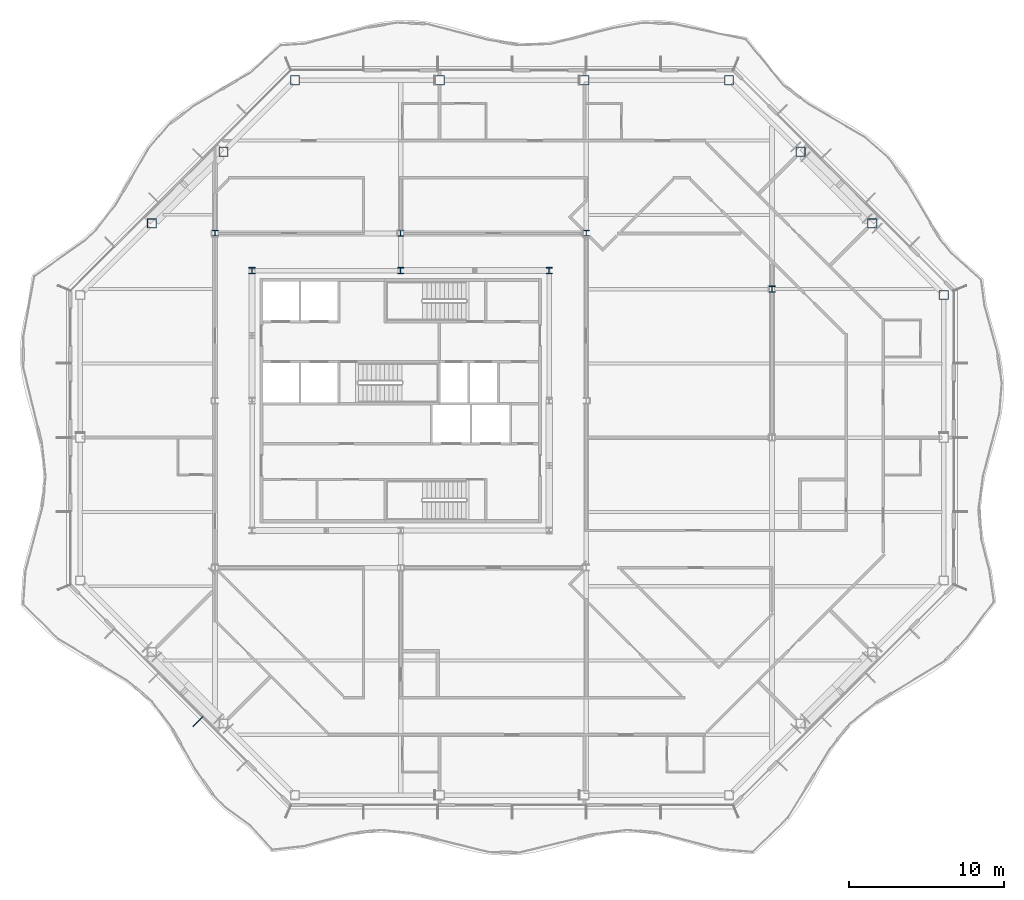
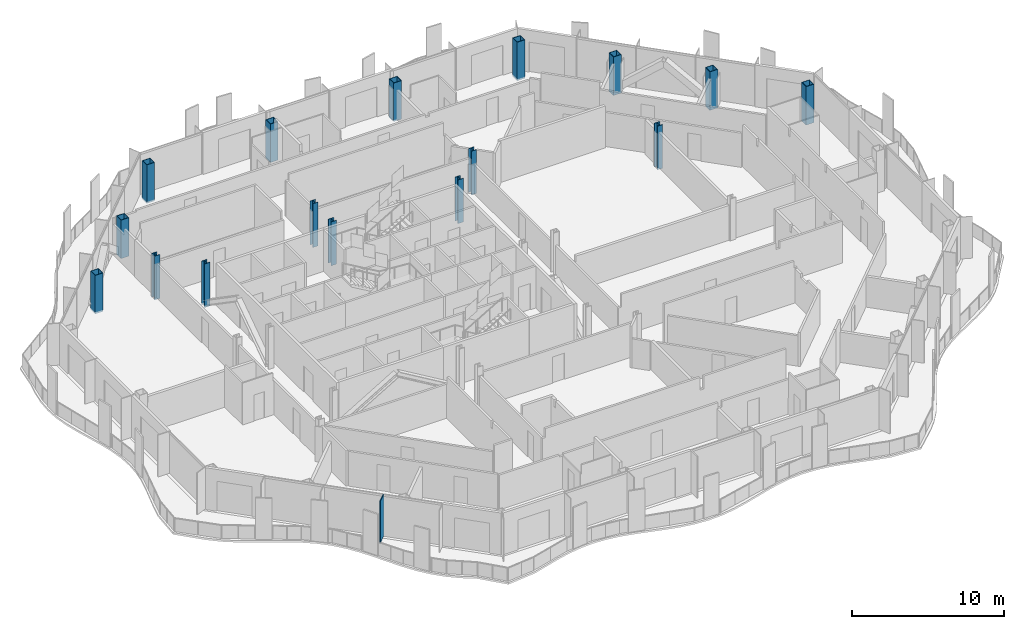
# One storey, part 2 of 19: 16 columns, 1 member, 1 element without a shape of its own.
"""IFC4 building model written with IfcOpenShell, lengths in metres."""

import ifcopenshell
import ifcopenshell.guid

model = None  # the IFC model being written
_history = None  # IfcOwnerHistory: only IFC2X3 demands one
_inside = {}  # id of a spatial element -> (the spatial element, [elements in it])
_under = {}  # id of a project, library or spatial element -> (it, [spatial elements below it])
_declared = {}  # id of a project -> (the project, [libraries it declares])
_typed = {}  # id of a type object -> (the type object, [elements of that type])
_made_of = {}  # id of a material, layer set ... -> (it, [elements and type objects made of it])


def new_model(schema):
    """Start an empty IFC model of exactly this schema.

    Asked for "IFC4X3", IfcOpenShell would pick the latest addendum, in which some entities
    have other attributes; the version numbers below select the first issue.
    IFC2X3 requires an IfcOwnerHistory on every rooted entity: one is made here for all.
    """
    global model, _history
    if schema == "IFC4X3":
        model = ifcopenshell.file(schema_version=(4, 3, 0, 0))
    else:
        model = ifcopenshell.file(schema=schema)
    _inside.clear()
    _under.clear()
    _declared.clear()
    _typed.clear()
    _made_of.clear()
    _history = None
    if model.schema == "IFC2X3":
        org = make("IfcOrganization", Name="unknown")
        user = make(
            "IfcPersonAndOrganization",
            ThePerson=make("IfcPerson", FamilyName="unknown"),
            TheOrganization=org,
        )
        app = make(
            "IfcApplication",
            ApplicationDeveloper=org,
            Version="unknown",
            ApplicationFullName="unknown",
            ApplicationIdentifier="unknown",
        )
        _history = make(
            "IfcOwnerHistory",
            OwningUser=user,
            OwningApplication=app,
            ChangeAction="ADDED",
            CreationDate=0,
        )
    return model


def make(cls, **values):
    """One entity of the class cls with the attributes given. An attribute that is None is left unset."""
    return model.create_entity(
        cls, **{name: value for name, value in values.items() if value is not None}
    )


def rooted(cls, **values):
    """An entity with a GlobalId (a new one), such as an element, a storey or a relation."""
    return make(cls, GlobalId=ifcopenshell.guid.new(), OwnerHistory=_history, **values)


def si_unit(unit_type, name, prefix=None):
    """IfcSIUnit, for example si_unit("LENGTHUNIT", "METRE", prefix="MILLI")."""
    return make("IfcSIUnit", UnitType=unit_type, Prefix=prefix, Name=name)


def assignment(units):
    """IfcUnitAssignment: the units of a project."""
    return None if units is None else make("IfcUnitAssignment", Units=units)


def point(xyz):
    """IfcCartesianPoint."""
    return None if xyz is None else make("IfcCartesianPoint", Coordinates=xyz)


def direction(xyz):
    """IfcDirection."""
    return None if xyz is None else make("IfcDirection", DirectionRatios=xyz)


def frame(location, z_axis=None, x_axis=None):
    """IfcAxis2Placement3D, a coordinate frame: its origin and axes. An axis left out is left unset."""
    return make(
        "IfcAxis2Placement3D",
        Location=point(location),
        Axis=direction(z_axis),
        RefDirection=direction(x_axis),
    )


def frame_2d(location, x_axis=None):
    """IfcAxis2Placement2D, a coordinate frame in the plane: its origin and x axis."""
    return make(
        "IfcAxis2Placement2D", Location=point(location), RefDirection=direction(x_axis)
    )


def origin():
    """The frame at (0, 0, 0) with its axes left unset."""
    return frame((0.0, 0.0, 0.0))


def origin_2d():
    """The frame at (0, 0) in the plane with its x axis left unset."""
    return frame_2d((0.0, 0.0))


def place(relative_to, where):
    """IfcLocalPlacement: puts the frame where relative to a parent placement (None: the world)."""
    return make(
        "IfcLocalPlacement", PlacementRelTo=relative_to, RelativePlacement=where
    )


def context(
    kind, dimensions, precision=None, world=None, true_north=None, identifier=None
):
    """IfcGeometricRepresentationContext, for example the 3D "Model" context."""
    return make(
        "IfcGeometricRepresentationContext",
        ContextIdentifier=identifier,
        ContextType=kind,
        CoordinateSpaceDimension=dimensions,
        Precision=precision,
        WorldCoordinateSystem=world,
        TrueNorth=true_north,
    )


def subcontext(parent, identifier, kind, view, scale=None):
    """IfcGeometricRepresentationSubContext, for example "Body" below "Model"."""
    return make(
        "IfcGeometricRepresentationSubContext",
        ContextIdentifier=identifier,
        ContextType=kind,
        ParentContext=parent,
        TargetScale=scale,
        TargetView=view,
    )


def project(units=None, contexts=None):
    """IfcProject with its units and contexts."""
    return rooted(
        "IfcProject",
        Name="project",
        RepresentationContexts=contexts,
        UnitsInContext=assignment(units),
    )


def spatial(cls, under=None, at=None, **own):
    """A site, building, storey or space (cls), placed at a placement, below another one or the project."""
    s = rooted(cls, ObjectPlacement=at, **own)
    if under is not None:
        _under.setdefault(under.id(), (under, []))[1].append(s)
    return s


def profile(cls, at=None, kind="AREA", **sizes):
    """A parametric profile (cls). Its sizes go by their IFC names, for example OverallWidth=200.0."""
    return make(cls, ProfileType=kind, Position=at, **sizes)


def rectangle(**sizes):
    """IfcRectangleProfileDef."""
    return profile("IfcRectangleProfileDef", **sizes)


def hollow_rectangle(**sizes):
    """IfcRectangleHollowProfileDef."""
    return profile("IfcRectangleHollowProfileDef", **sizes)


def i_section(**sizes):
    """IfcIShapeProfileDef."""
    return profile("IfcIShapeProfileDef", **sizes)


def extrude(swept, where, along, depth):
    """IfcExtrudedAreaSolid: the profile swept, set in the frame where, extruded along a direction by depth."""
    return make(
        "IfcExtrudedAreaSolid",
        SweptArea=swept,
        Position=where,
        ExtrudedDirection=direction(along),
        Depth=depth,
    )


def clip(a, b, op="DIFFERENCE"):
    """IfcBooleanClippingResult: the solid a cut by the half space b."""
    return make(
        "IfcBooleanClippingResult", Operator=op, FirstOperand=a, SecondOperand=b
    )


def halfspace(plane, agree):
    """IfcHalfSpaceSolid: all space on one side of the plane z = 0 of the frame plane."""
    return make(
        "IfcHalfSpaceSolid",
        BaseSurface=make("IfcPlane", Position=plane),
        AgreementFlag=agree,
    )


def shape(context_of_items, identifier, shape_type, items):
    """IfcShapeRepresentation: the items that make up one representation, for example the "Body"."""
    return make(
        "IfcShapeRepresentation",
        ContextOfItems=context_of_items,
        RepresentationIdentifier=identifier,
        RepresentationType=shape_type,
        Items=items,
    )


def material(Name=None, Category=None):
    """IfcMaterial."""
    return make("IfcMaterial", Name=Name, Category=Category)


def material_profile(
    of_material, cross_section, Name=None, Category=None, Priority=None
):
    """IfcMaterialProfile: a cross section and its material."""
    return make(
        "IfcMaterialProfile",
        Name=Name,
        Material=of_material,
        Profile=cross_section,
        Priority=Priority,
        Category=Category,
    )


def profile_set(profiles, Name=None, composite=None):
    """IfcMaterialProfileSet."""
    return make(
        "IfcMaterialProfileSet",
        Name=Name,
        MaterialProfiles=profiles,
        CompositeProfile=composite,
    )


def made_of(thing, what):
    """Note that an element or type object is made of a material, layer set ...; save() writes the relation."""
    if what is not None:
        _made_of.setdefault(what.id(), (what, []))[1].append(thing)
    return thing


def type_object(cls, material=None, **own):
    """A type object (cls), such as IfcWallType, which elements share."""
    return made_of(rooted(cls, **own), material)


def element(
    cls,
    number,
    at=None,
    inside=None,
    cuts=None,
    type_object=None,
    material=None,
    context=None,
    identifier="Body",
    shape_type=None,
    held_by="IfcProductDefinitionShape",
    body=None,
    shapes=None,
    **own,
):
    """One element of the class cls, such as IfcWall. Its Tag is "e" and its number.

    at: its placement. inside: the storey or other place that contains it. cuts: it is an
    opening in that element (IfcRelVoidsElement). A single representation is given by context,
    identifier, shape_type and body (its items); several are given by shapes. held_by: the class
    of the entity that holds the representations. save() writes the other relations.
    """
    e = rooted(cls, Tag="e%d" % number, ObjectPlacement=at, **own)
    if body is not None:
        shapes = [shape(context, identifier, shape_type, body)]
    if shapes is not None:
        e.Representation = make(held_by, Representations=shapes)
    if inside is not None:
        _inside.setdefault(inside.id(), (inside, []))[1].append(e)
    if cuts is not None:
        rooted(
            "IfcRelVoidsElement", RelatingBuildingElement=cuts, RelatedOpeningElement=e
        )
    if type_object is not None:
        _typed.setdefault(type_object.id(), (type_object, []))[1].append(e)
    return made_of(e, material)


def aggregate(whole, parts):
    """IfcRelAggregates: a whole, such as a stair, and the parts it consists of."""
    return rooted("IfcRelAggregates", RelatingObject=whole, RelatedObjects=parts)


def save(model, path):
    """Write the relations noted so far, then the file.

    IfcRelAggregates (storeys below a building ...), IfcRelContainedInSpatialStructure (elements
    in a storey), IfcRelDefinesByType, IfcRelAssociatesMaterial and IfcRelDeclares: one each for
    every whole, place, type object, material and project.
    """
    for whole, parts in _under.values():
        aggregate(whole, parts)
    for where, things in _inside.values():
        rooted(
            "IfcRelContainedInSpatialStructure",
            RelatedElements=things,
            RelatingStructure=where,
        )
    for kind, things in _typed.values():
        rooted("IfcRelDefinesByType", RelatedObjects=things, RelatingType=kind)
    for what, things in _made_of.values():
        rooted("IfcRelAssociatesMaterial", RelatedObjects=things, RelatingMaterial=what)
    for by, libraries in _declared.values():
        rooted("IfcRelDeclares", RelatingContext=by, RelatedDefinitions=libraries)
    model.write(path)


model = new_model("IFC4")

# Units and contexts
model_context = context("Model", 3, precision=1e-05, world=origin(), true_north=direction((0.0, 1.0)))
body_context = subcontext(model_context, "Body", "Model", "MODEL_VIEW")
ifc_project = project(units=[si_unit("LENGTHUNIT", "METRE"), si_unit("AREAUNIT", "SQUARE_METRE"), si_unit("VOLUMEUNIT", "CUBIC_METRE"), si_unit("PLANEANGLEUNIT", "RADIAN"), si_unit("MASSUNIT", "GRAM", prefix="KILO")], contexts=[model_context])

# Site, building, storey
site_placement = place(None, origin())
site = spatial("IfcSite", under=ifc_project, at=site_placement, CompositionType="ELEMENT")
building_placement = place(site_placement, origin())
building = spatial("IfcBuilding", under=site, at=building_placement, Name="Cairn Pilgrim Tower", CompositionType="ELEMENT")
storey_placement = place(building_placement, frame((0.0, 0.0, 201.0)))
storey = spatial("IfcBuildingStorey", under=building, at=storey_placement, Name="L51", CompositionType="ELEMENT", Elevation=201.0)

# Columns
ifc_material_1 = material(Name="Structural steel S460M", Category="steel")
ifc_material_profile_1 = material_profile(ifc_material_1, hollow_rectangle(XDim=0.60009765625, YDim=0.60009765625, WallThickness=0.034912109375, at=origin_2d()), Name="BOX 600x600x35")
ifc_profile_set_1 = profile_set([ifc_material_profile_1], Name="Structural steel S460M")
column_type_1 = type_object("IfcColumnType", Name="BOX 600x600x35", PredefinedType="COLUMN", material=ifc_profile_set_1)
for number, where, z_axis, x_axis, name in (
    (1, (42.300048828125, 9.227294921875, -0.14990234375), (0.0, 0.0, 1.0), (1.0, 0.0, 0.0), "PC2-NE1"),
    (2, (37.67578125, 13.8515625, -0.14990234375), (0.0, 0.0, 1.0), (1.0, 0.0, 0.0), "PC2-NE2"),
    (3, (33.051513671875, 18.4755859375, -0.14990234375), (0.0, 0.0, 1.0), (1.0, 0.0, 0.0), "PC2-NE3"),
    (4, (28.42724609375, 23.10009765625, -0.14990234375), (0.0, 0.0, 1.0), (1.0, 0.0, 0.0), "PC2-N1"),
    (5, (19.07568359375, 23.10009765625, -0.14990234375), (0.0, 0.0, 1.0), (1.0, 0.0, 0.0), "PC2-N2"),
    (6, (9.724365234375, 23.10009765625, -0.14990234375), (0.0, 0.0, 1.0), (1.0, 0.0, 0.0), "PC2-N3"),
    (7, (0.372802734375, 23.10009765625, -0.14990234375), (0.0, 0.0, 1.0), (1.0, 0.0, 0.0), "PC2-NW1"),
    (8, (-4.25146484375, 18.4755859375, -0.14990234375), (0.0, 0.0, 1.0), (1.0, 0.0, 0.0), "PC2-NW2"),
    (9, (-8.875732421875, 13.8515625, -0.14990234375), (0.0, 0.0, 1.0), (1.0, 0.0, 0.0), "PC2-NW3"),
):
    element("IfcColumn", number, at=place(storey_placement, frame(where, z_axis=z_axis, x_axis=x_axis)), inside=storey, type_object=column_type_1, Name=name, PredefinedType="COLUMN", context=body_context, shape_type="Clipping", body=[
        clip(clip(extrude(hollow_rectangle(XDim=0.60009765625, YDim=0.60009765625, WallThickness=0.034912109375, at=origin_2d()), origin(), (0.0, 0.0, 1.0), 3.5), halfspace(frame((0.0, 0.0, 0.01123046875), z_axis=(0.0, 0.0, 1.0), x_axis=(1.0, 0.0, 0.0)), True)), halfspace(frame((0.0, 0.0, 3.094970703125), z_axis=(0.0, 0.0, 1.0), x_axis=(1.0, 0.0, 0.0)), False)),
    ])
ifc_material_2 = material(Name="Structural steel S355J2", Category="steel")
ifc_material_profile_2 = material_profile(ifc_material_2, i_section(OverallWidth=0.39892578125, OverallDepth=0.39306640625, WebThickness=0.022705078125, FlangeThickness=0.03662109375, FilletRadius=0.014892578125, at=origin_2d()), Name="HD 400x287")
ifc_profile_set_2 = profile_set([ifc_material_profile_2], Name="Structural steel S355J2")
column_type_2 = type_object("IfcColumnType", Name="HD 400x287", PredefinedType="COLUMN", material=ifc_profile_set_2)
for number, where, z_axis, x_axis, name in (
    (10, (-4.800048828125, 13.199951171875, -0.14990234375), (0.0, 0.0, 1.0), (1.0, 0.0, 0.0), "IC-6"),
    (11, (7.199951171875, 13.199951171875, -0.14990234375), (0.0, 0.0, 1.0), (1.0, 0.0, 0.0), "IC-7"),
    (12, (19.199951171875, 13.199951171875, -0.14990234375), (0.0, 0.0, 1.0), (1.0, 0.0, 0.0), "IC-8"),
):
    element("IfcColumn", number, at=place(storey_placement, frame(where, z_axis=z_axis, x_axis=x_axis)), inside=storey, type_object=column_type_2, Name=name, PredefinedType="COLUMN", context=body_context, shape_type="SweptSolid", body=[
        extrude(i_section(OverallWidth=0.39892578125, OverallDepth=0.39306640625, WebThickness=0.022705078125, FlangeThickness=0.03662109375, FilletRadius=0.014892578125, at=origin_2d()), origin(), (0.0, 0.0, 1.0), 3.5),
    ])
ifc_material_profile_3 = material_profile(ifc_material_1, i_section(OverallWidth=0.404052734375, OverallDepth=0.406982421875, WebThickness=0.027099609375, FlangeThickness=0.043701171875, FilletRadius=0.014892578125, at=origin_2d()), Name="HD 400x347")
ifc_profile_set_3 = profile_set([ifc_material_profile_3], Name="Structural steel S460M")
column_type_3 = type_object("IfcColumnType", Name="HD 400x347", PredefinedType="COLUMN", material=ifc_profile_set_3)
for number, where, z_axis, x_axis, name in (
    (13, (-2.39990234375, 10.800048828125, -0.14990234375), (0.0, 0.0, 1.0), (1.0, 0.0, 0.0), "KC-6"),
    (14, (7.199951171875, 10.800048828125, -0.14990234375), (0.0, 0.0, 1.0), (1.0, 0.0, 0.0), "KC-7"),
    (15, (16.800048828125, 10.800048828125, -0.14990234375), (0.0, 0.0, 1.0), (1.0, 0.0, 0.0), "KC-8"),
):
    element("IfcColumn", number, at=place(storey_placement, frame(where, z_axis=z_axis, x_axis=x_axis)), inside=storey, type_object=column_type_3, Name=name, PredefinedType="COLUMN", context=body_context, shape_type="SweptSolid", body=[
        extrude(i_section(OverallWidth=0.404052734375, OverallDepth=0.406982421875, WebThickness=0.027099609375, FlangeThickness=0.043701171875, FilletRadius=0.014892578125, at=origin_2d()), origin(), (0.0, 0.0, 1.0), 3.5),
    ])
ifc_material_profile_4 = material_profile(ifc_material_1, i_section(OverallWidth=0.408935546875, OverallDepth=0.425048828125, WebThickness=0.03271484375, FlangeThickness=0.052490234375, FilletRadius=0.014892578125, at=origin_2d()), Name="HD 400x421")
ifc_profile_set_4 = profile_set([ifc_material_profile_4], Name="Structural steel S460M")
column_type_4 = type_object("IfcColumnType", Name="HD 400x421", PredefinedType="COLUMN", material=ifc_profile_set_4)
column_placement = place(storey_placement, frame((31.199951171875, 9.60009765625, -0.14990234375), z_axis=(0.0, 0.0, 1.0), x_axis=(1.0, 0.0, 0.0)))
element("IfcColumn", 16, at=column_placement, inside=storey, type_object=column_type_4, Name="WC-WE+2", PredefinedType="COLUMN", context=body_context, shape_type="SweptSolid", body=[
    extrude(i_section(OverallWidth=0.408935546875, OverallDepth=0.425048828125, WebThickness=0.03271484375, FlangeThickness=0.052490234375, FilletRadius=0.014892578125, at=origin_2d()), origin(), (0.0, 0.0, 1.0), 3.5),
])

# Curtain wall, member
ifc_material_3 = material(Name="Aluminium alloy 6063-T6 bronze anodised with Bronze tinted laminated low-E glass 8+16+8.8", Category="aluminium")
curtain_wall_type = type_object("IfcCurtainWallType", Name="CHAMFER CORNER CURTAIN WALL", PredefinedType="NOTDEFINED", material=ifc_material_3)
curtain_wall_placement = place(storey_placement, origin())
curtain_wall = element("IfcCurtainWall", 17, at=curtain_wall_placement, inside=storey, type_object=curtain_wall_type, Name="Chamfer Corner Curtain Wall SW", PredefinedType="NOTDEFINED")
ifc_material_4 = material(Name="Aluminium alloy 6063-T6 bronze anodised", Category="aluminium")
ifc_material_profile_5 = material_profile(ifc_material_4, rectangle(XDim=0.89990234375, YDim=0.06005859375, at=origin_2d()), Name="FIN MULLION 60x900 BRONZE")
ifc_profile_set_5 = profile_set([ifc_material_profile_5], Name="Aluminium alloy 6063-T6 bronze anodised")
member_type = type_object("IfcMemberType", Name="FIN MULLION 60x900 BRONZE", PredefinedType="MULLION", material=ifc_profile_set_5)
member_placement = place(storey_placement, frame((-5.894775390625, -18.345458984375, 0.0), z_axis=(0.0, 0.0, 1.0), x_axis=(-0.707106781187, -0.707106781187, 0.0)))
member = element("IfcMember", 18, at=member_placement, type_object=member_type, Name="Fin mullion SW4", PredefinedType="MULLION", context=body_context, shape_type="SweptSolid", body=[
    extrude(rectangle(XDim=0.89990234375, YDim=0.06005859375, at=origin_2d()), origin(), (0.0, 0.0, 1.0), 3.35009765625),
])
aggregate(curtain_wall, [member])

save(model, "model.ifc")
